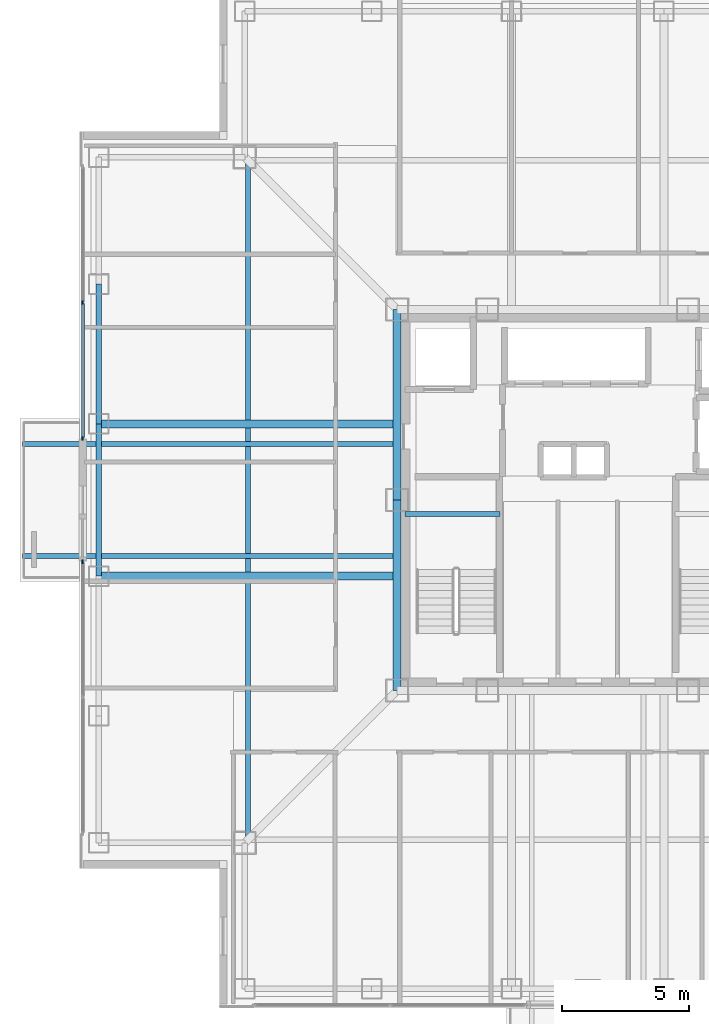
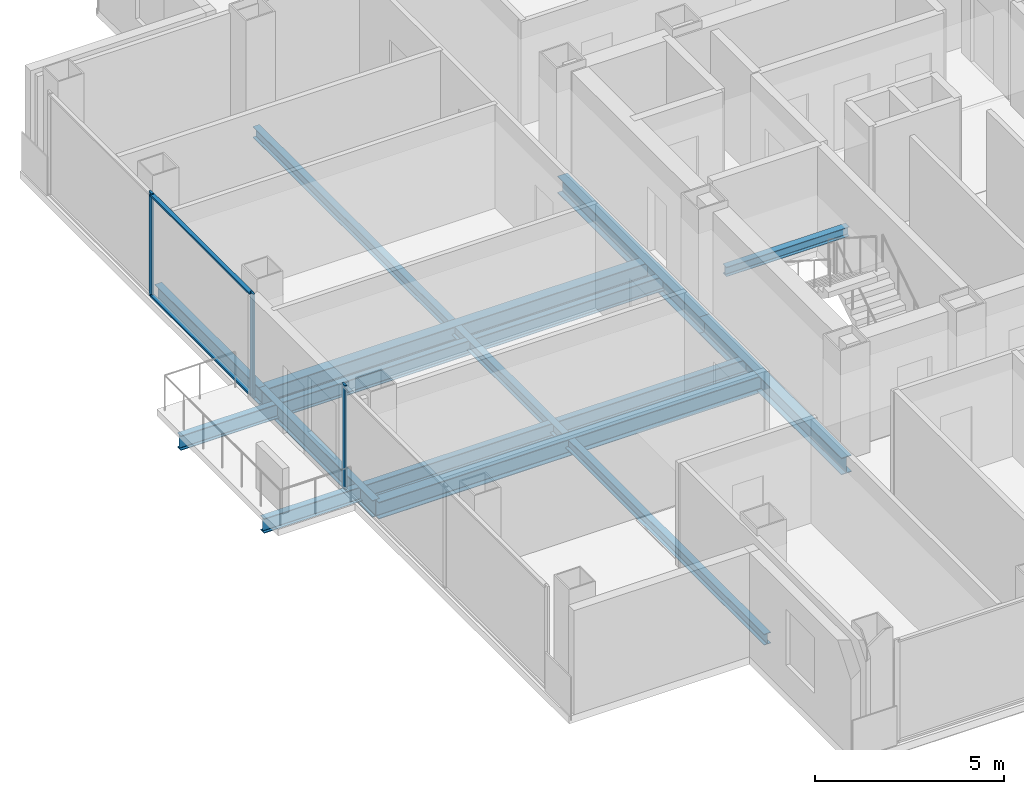
# One storey, part 4 of 16: 10 beams, 5 members, 2 elements without a shape of their own.
"""IFC4 building model written with IfcOpenShell, lengths in metres."""

from ifc_helpers import new_model, si_unit, direction, frame, origin, origin_2d, place, context, subcontext, project, spatial, rectangle, i_section, extrude, material, layer, layer_set, material_profile, profile_set, type_object, element, aggregate, save


model = new_model("IFC4")

# Units and contexts
model_context = context("Model", 3, precision=1e-05, world=origin(), true_north=direction((0.0, 1.0)))
body_context = subcontext(model_context, "Body", "Model", "MODEL_VIEW")
ifc_project = project(units=[si_unit("LENGTHUNIT", "METRE"), si_unit("AREAUNIT", "SQUARE_METRE"), si_unit("VOLUMEUNIT", "CUBIC_METRE"), si_unit("PLANEANGLEUNIT", "RADIAN"), si_unit("MASSUNIT", "GRAM", prefix="KILO")], contexts=[model_context])

# Site, building, storey
site_placement = place(None, origin())
site = spatial("IfcSite", under=ifc_project, at=site_placement, CompositionType="ELEMENT")
building_placement = place(site_placement, origin())
building = spatial("IfcBuilding", under=site, at=building_placement, Name="Trevonay Congress Spire", CompositionType="ELEMENT")
storey_placement = place(building_placement, frame((0.0, 0.0, 177.0)))
storey = spatial("IfcBuildingStorey", under=building, at=storey_placement, Name="L45", CompositionType="ELEMENT", Elevation=177.0)

# Beams
ifc_material_1 = material(Name="Steel ASTM A572 Grade 50", Category="steel")
ifc_material_profile_1 = material_profile(ifc_material_1, i_section(OverallWidth=0.194091796875, OverallDepth=0.468994140625, WebThickness=0.011474609375, FlangeThickness=0.01953125, FilletRadius=0.013916015625, at=origin_2d()), Name="W460x106")
ifc_profile_set_1 = profile_set([ifc_material_profile_1], Name="Steel ASTM A572 Grade 50")
beam_type_1 = type_object("IfcBeamType", Name="BM-BAL-LOOKOUT", PredefinedType="BEAM", material=ifc_profile_set_1)
for number, where, z_axis, x_axis, name in (
    (1, (-7.5, -2.199951171875, -0.474609375), (-1.0, 0.0, 0.0), (0.0, -1.0, 0.0), "L45 structural beam LKT-L45-W1"),
    (2, (-7.5, 2.199951171875, -0.474609375), (-1.0, 0.0, 0.0), (0.0, -1.0, 0.0), "L45 structural beam LKT-L45-W2"),
):
    element("IfcBeam", number, at=place(storey_placement, frame(where, z_axis=z_axis, x_axis=x_axis)), inside=storey, type_object=beam_type_1, Name=name, PredefinedType="BEAM", context=body_context, shape_type="SweptSolid", body=[
        extrude(i_section(OverallWidth=0.194091796875, OverallDepth=0.468994140625, WebThickness=0.011474609375, FlangeThickness=0.01953125, FilletRadius=0.013916015625, at=origin_2d()), origin(), (0.0, 0.0, 1.0), 14.75),
    ])
ifc_material_profile_2 = material_profile(ifc_material_1, i_section(OverallWidth=0.31201171875, OverallDepth=0.54296875, WebThickness=0.0126953125, FlangeThickness=0.020263671875, FilletRadius=0.014892578125, at=origin_2d()), Name="W530x150")
ifc_profile_set_2 = profile_set([ifc_material_profile_2], Name="Steel ASTM A572 Grade 50")
beam_type_2 = type_object("IfcBeamType", Name="BM-GIRD-W530X150", PredefinedType="BEAM", material=ifc_profile_set_2)
for number, where, z_axis, x_axis, name in (
    (3, (-7.5, -7.5, -0.511474609375), (0.0, 1.0, 0.0), (-1.0, 0.0, 0.0), "L45 structural beam BM-L45-CR-W1"),
    (4, (-7.5, 0.0, -0.511474609375), (0.0, 1.0, 0.0), (-1.0, 0.0, 0.0), "L45 structural beam BM-L45-CR-W2"),
):
    element("IfcBeam", number, at=place(storey_placement, frame(where, z_axis=z_axis, x_axis=x_axis)), inside=storey, type_object=beam_type_2, Name=name, PredefinedType="BEAM", context=body_context, shape_type="SweptSolid", body=[
        extrude(i_section(OverallWidth=0.31201171875, OverallDepth=0.54296875, WebThickness=0.0126953125, FlangeThickness=0.020263671875, FilletRadius=0.014892578125, at=origin_2d()), origin(), (0.0, 0.0, 1.0), 7.5),
    ])
for number, where, z_axis, x_axis, name in (
    (5, (-7.5, -3.0, -0.511474609375), (-1.0, 0.0, 0.0), (0.0, -1.0, 0.0), "L45 structural beam BM-L45-GW-M"),
    (6, (-7.5, 3.0, -0.511474609375), (-1.0, 0.0, 0.0), (0.0, -1.0, 0.0), "L45 structural beam BM-L45-GW-P"),
):
    element("IfcBeam", number, at=place(storey_placement, frame(where, z_axis=z_axis, x_axis=x_axis)), inside=storey, type_object=beam_type_2, Name=name, PredefinedType="BEAM", context=body_context, shape_type="SweptSolid", body=[
        extrude(i_section(OverallWidth=0.31201171875, OverallDepth=0.54296875, WebThickness=0.0126953125, FlangeThickness=0.020263671875, FilletRadius=0.014892578125, at=origin_2d()), origin(), (0.0, 0.0, 1.0), 11.75),
    ])
ifc_material_profile_3 = material_profile(ifc_material_1, i_section(OverallWidth=0.2119140625, OverallDepth=0.5439453125, WebThickness=0.01318359375, FlangeThickness=0.021240234375, FilletRadius=0.014892578125, at=origin_2d()), Name="W530x123")
ifc_profile_set_3 = profile_set([ifc_material_profile_3], Name="Steel ASTM A572 Grade 50")
beam_type_3 = type_object("IfcBeamType", Name="BM-RING-W530X123", PredefinedType="BEAM", material=ifc_profile_set_3)
beam_1_placement = place(storey_placement, frame((-19.25, -3.0, -0.511962890625), z_axis=(0.0, 1.0, 0.0), x_axis=(-1.0, 0.0, 0.0)))
element("IfcBeam", 7, at=beam_1_placement, inside=storey, type_object=beam_type_3, Name="L45 structural beam BM-L45-PW3", PredefinedType="BEAM", context=body_context, shape_type="SweptSolid", body=[
    extrude(i_section(OverallWidth=0.2119140625, OverallDepth=0.5439453125, WebThickness=0.01318359375, FlangeThickness=0.021240234375, FilletRadius=0.014892578125, at=origin_2d()), origin(), (0.0, 0.0, 1.0), 6.0),
])
beam_2_placement = place(storey_placement, frame((-19.25, 3.0, -0.511962890625), z_axis=(0.0, 1.0, 0.0), x_axis=(-1.0, 0.0, 0.0)))
element("IfcBeam", 8, at=beam_2_placement, inside=storey, type_object=beam_type_3, Name="L45 structural beam BM-L45-PW4", PredefinedType="BEAM", context=body_context, shape_type="SweptSolid", body=[
    extrude(i_section(OverallWidth=0.2119140625, OverallDepth=0.5439453125, WebThickness=0.01318359375, FlangeThickness=0.021240234375, FilletRadius=0.014892578125, at=origin_2d()), origin(), (0.0, 0.0, 1.0), 5.5),
])

# Curtain wall, member
ifc_material_2 = material(Name="Pale Anodised Aluminium EN AW-6063-T6", Category="aluminium")
ifc_layer = layer(ifc_material_2, 0.169921875, Name="Pale Anodised Aluminium EN AW-6063-T6")
ifc_layer_set = layer_set([ifc_layer], Name="Pale Anodised Aluminium EN AW-6063-T6")
curtain_wall_type = type_object("IfcCurtainWallType", Name="CW-SYS04-CORP-PALE-METAL", PredefinedType="NOTDEFINED", material=ifc_layer_set)
curtain_wall_1_placement = place(storey_placement, origin())
curtain_wall_1 = element("IfcCurtainWall", 9, at=curtain_wall_1_placement, inside=storey, type_object=curtain_wall_type, Name="L45 WA unitised curtain wall", PredefinedType="NOTDEFINED")
ifc_material_profile_4 = material_profile(ifc_material_2, rectangle(XDim=0.06005859375, YDim=0.159912109375, at=origin_2d()), Name="CW-MULLION-160-ALUMINIUM")
ifc_profile_set_4 = profile_set([ifc_material_profile_4], Name="Pale Anodised Aluminium EN AW-6063-T6")
member_type_1 = type_object("IfcMemberType", Name="CW-MULLION-160-ALUMINIUM", PredefinedType="MULLION", material=ifc_profile_set_4)
member_1_placement = place(storey_placement, frame((-19.8798828125, -2.429931640625, 0.0), z_axis=(0.0, 0.0, 1.0), x_axis=(-1.0, 0.0, 0.0)))
member_1 = element("IfcMember", 10, at=member_1_placement, type_object=member_type_1, Name="CW04 mullion 3", PredefinedType="MULLION", context=body_context, shape_type="SweptSolid", body=[
    extrude(rectangle(XDim=0.06005859375, YDim=0.159912109375, at=origin_2d()), origin(), (0.0, 0.0, 1.0), 3.360107421875),
])
aggregate(curtain_wall_1, [member_1])

# Curtain wall, members
curtain_wall_2_placement = place(storey_placement, origin())
curtain_wall_2 = element("IfcCurtainWall", 11, at=curtain_wall_2_placement, inside=storey, type_object=curtain_wall_type, Name="L45 WB unitised curtain wall", PredefinedType="NOTDEFINED")
member_2_placement = place(storey_placement, frame((-19.8798828125, 2.429931640625, 0.0), z_axis=(0.0, 0.0, 1.0), x_axis=(-1.0, 0.0, 0.0)))
member_2 = element("IfcMember", 12, at=member_2_placement, type_object=member_type_1, Name="CW04 mullion 1", PredefinedType="MULLION", context=body_context, shape_type="SweptSolid", body=[
    extrude(rectangle(XDim=0.06005859375, YDim=0.159912109375, at=origin_2d()), origin(), (0.0, 0.0, 1.0), 3.360107421875),
])
member_3_placement = place(storey_placement, frame((-19.8798828125, 7.77490234375, 0.0), z_axis=(0.0, 0.0, 1.0), x_axis=(-1.0, 0.0, 0.0)))
member_3 = element("IfcMember", 13, at=member_3_placement, type_object=member_type_1, Name="CW04 mullion 2", PredefinedType="MULLION", context=body_context, shape_type="SweptSolid", body=[
    extrude(rectangle(XDim=0.06005859375, YDim=0.159912109375, at=origin_2d()), origin(), (0.0, 0.0, 1.0), 3.360107421875),
])
ifc_material_profile_5 = material_profile(ifc_material_2, rectangle(XDim=0.1201171875, YDim=0.06005859375, at=origin_2d()), Name="CW-TRANSOM-120-ALUMINIUM")
ifc_profile_set_5 = profile_set([ifc_material_profile_5], Name="Pale Anodised Aluminium EN AW-6063-T6")
member_type_2 = type_object("IfcMemberType", Name="CW-TRANSOM-120-ALUMINIUM", PredefinedType="USERDEFINED", material=ifc_profile_set_5)
member_4_placement = place(storey_placement, frame((-19.8798828125, 2.4599609375, 0.06005859375), z_axis=(0.0, 1.0, 0.0), x_axis=(-1.0, 0.0, 0.0)))
member_4 = element("IfcMember", 14, at=member_4_placement, type_object=member_type_2, Name="CW04 transom 1.1", ObjectType="TRANSOM", PredefinedType="USERDEFINED", context=body_context, shape_type="SweptSolid", body=[
    extrude(rectangle(XDim=0.1201171875, YDim=0.06005859375, at=origin_2d()), origin(), (0.0, 0.0, 1.0), 5.28515625),
])
member_5_placement = place(storey_placement, frame((-19.8798828125, 2.4599609375, 3.300048828125), z_axis=(0.0, 1.0, 0.0), x_axis=(-1.0, 0.0, 0.0)))
member_5 = element("IfcMember", 15, at=member_5_placement, type_object=member_type_2, Name="CW04 transom 1.2", ObjectType="TRANSOM", PredefinedType="USERDEFINED", context=body_context, shape_type="SweptSolid", body=[
    extrude(rectangle(XDim=0.1201171875, YDim=0.06005859375, at=origin_2d()), origin(), (0.0, 0.0, 1.0), 5.28515625),
])
aggregate(curtain_wall_2, [member_2, member_3, member_4, member_5])

# Beams
ifc_material_profile_6 = material_profile(ifc_material_1, i_section(OverallWidth=0.205078125, OverallDepth=0.35400390625, WebThickness=0.009521484375, FlangeThickness=0.016845703125, FilletRadius=0.011962890625, at=origin_2d()), Name="W360x79")
ifc_profile_set_6 = profile_set([ifc_material_profile_6], Name="Steel ASTM A572 Grade 50")
beam_type_4 = type_object("IfcBeamType", Name="JS-COMP-W360X79", PredefinedType="JOIST", material=ifc_profile_set_6)
beam_3_placement = place(storey_placement, frame((-13.375, -13.5, -0.4169921875), z_axis=(0.0, 1.0, 0.0), x_axis=(-1.0, 0.0, 0.0)))
element("IfcBeam", 16, at=beam_3_placement, inside=storey, type_object=beam_type_4, Name="L45 structural beam JS-L45-RING-W", PredefinedType="JOIST", context=body_context, shape_type="SweptSolid", body=[
    extrude(i_section(OverallWidth=0.205078125, OverallDepth=0.35400390625, WebThickness=0.009521484375, FlangeThickness=0.016845703125, FilletRadius=0.011962890625, at=origin_2d()), origin(), (0.0, 0.0, 1.0), 27.0),
])
ifc_material_profile_7 = material_profile(ifc_material_1, i_section(OverallWidth=0.2041015625, OverallDepth=0.305908203125, WebThickness=0.008544921875, FlangeThickness=0.0146484375, FilletRadius=0.010986328125, at=origin_2d()), Name="W310x67")
ifc_profile_set_7 = profile_set([ifc_material_profile_7], Name="Steel ASTM A572 Grade 50")
beam_type_5 = type_object("IfcBeamType", Name="LN-CORE-W310X67", PredefinedType="LINTEL", material=ifc_profile_set_7)
beam_4_placement = place(storey_placement, frame((-7.199951171875, -0.550048828125, 1.447021484375), z_axis=(1.0, 0.0, 0.0), x_axis=(0.0, 1.0, 0.0)))
element("IfcBeam", 17, at=beam_4_placement, inside=storey, type_object=beam_type_5, Name="L45 structural beam BM-L45-HL-ST1", PredefinedType="LINTEL", context=body_context, shape_type="SweptSolid", body=[
    extrude(i_section(OverallWidth=0.2041015625, OverallDepth=0.305908203125, WebThickness=0.008544921875, FlangeThickness=0.0146484375, FilletRadius=0.010986328125, at=origin_2d()), origin(), (0.0, 0.0, 1.0), 3.75),
])

save(model, "model.ifc")
